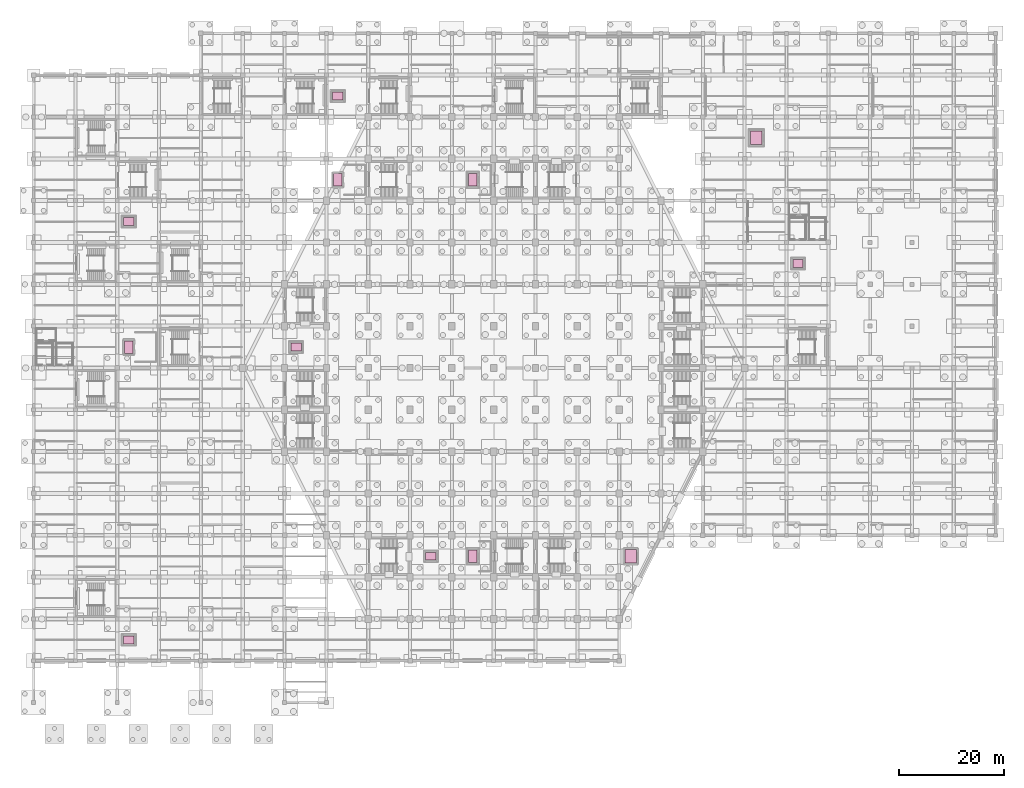
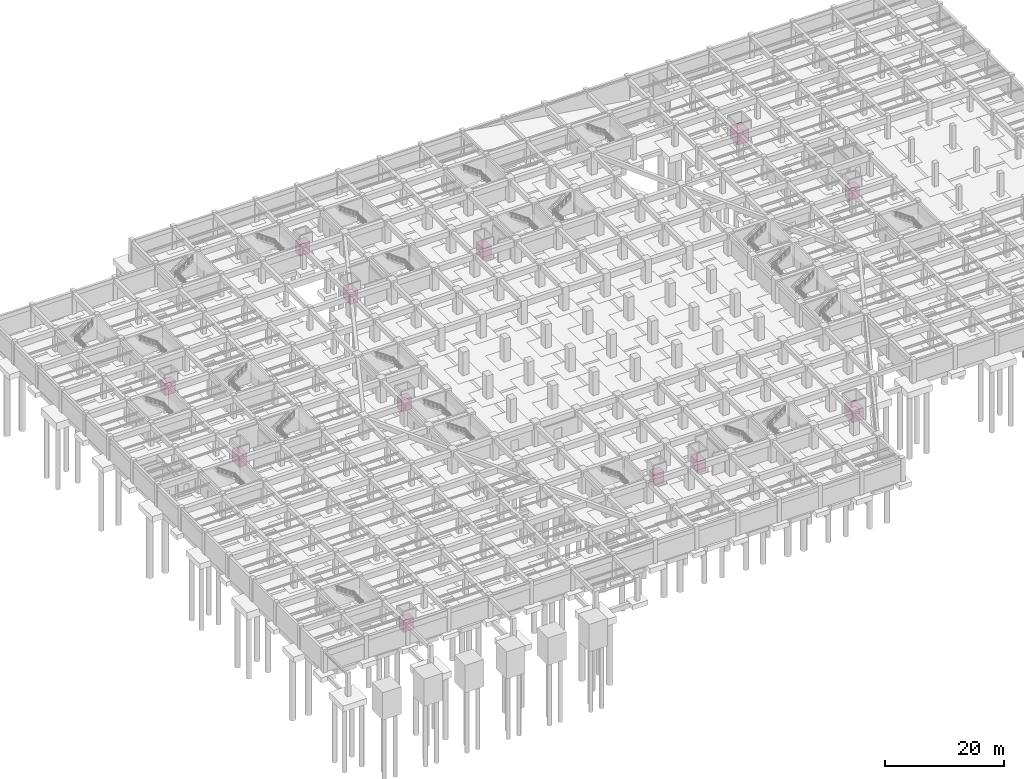
# One storey, part 36 of 36: 12 transport elements.
"""IFC4 building model written with IfcOpenShell, lengths in metres."""

from ifc_helpers import new_model, si_unit, direction, frame, origin, origin_2d, place, context, subcontext, project, spatial, rectangle, extrude, material, type_object, element, save


model = new_model("IFC4")

# Units and contexts
model_context = context("Model", 3, precision=1e-05, world=origin(), true_north=direction((0.0, 1.0)))
body_context = subcontext(model_context, "Body", "Model", "MODEL_VIEW")
ifc_project = project(units=[si_unit("LENGTHUNIT", "METRE"), si_unit("AREAUNIT", "SQUARE_METRE"), si_unit("VOLUMEUNIT", "CUBIC_METRE"), si_unit("PLANEANGLEUNIT", "RADIAN"), si_unit("MASSUNIT", "GRAM", prefix="KILO")], contexts=[model_context])

# Site, building, storey
site_placement = place(None, origin())
site = spatial("IfcSite", under=ifc_project, at=site_placement, CompositionType="ELEMENT")
building_placement = place(site_placement, origin())
building = spatial("IfcBuilding", under=site, at=building_placement, Name="Tazarka Park Arena", CompositionType="ELEMENT")
storey_placement = place(building_placement, frame((0.0, 0.0, -4.800048828125)))
storey = spatial("IfcBuildingStorey", under=building, at=storey_placement, Name="B1", CompositionType="ELEMENT", Elevation=-4.800048828125)

# Transport elements
ifc_material_1 = material(Name="Brushed architectural stainless steel", Category="steel")
transport_element_type_1 = type_object("IfcTransportElementType", Name="LFT-FF", PredefinedType="ELEVATOR", material=ifc_material_1)
for number, where, z_axis, x_axis, name in (
    (1, (18.199951171875, 68.0, 0.0), (0.0, 0.0, 1.0), (1.0, 0.0, 0.0), "Lift LF-01"),
    (2, (58.199951171875, 100.0, 0.0), (0.0, 0.0, 1.0), (1.0, 0.0, 0.0), "Lift LF-02"),
    (3, (84.0, 100.0, 0.0), (0.0, 0.0, 1.0), (1.0, 0.0, 0.0), "Lift LF-03"),
    (4, (84.0, 28.0, 0.0), (0.0, 0.0, 1.0), (1.0, 0.0, 0.0), "Lift LF-04"),
):
    element("IfcTransportElement", number, at=place(storey_placement, frame(where, z_axis=z_axis, x_axis=x_axis)), inside=storey, type_object=transport_element_type_1, Name=name, PredefinedType="ELEVATOR", context=body_context, shape_type="SweptSolid", body=[
        extrude(rectangle(XDim=1.60009765625, YDim=2.39990234375, at=origin_2d()), origin(), (0.0, 0.0, 1.0), 2.39990234375),
    ])
ifc_material_2 = material(Name="Brushed architectural stainless steel", Category="steel")
transport_element_type_2 = type_object("IfcTransportElementType", Name="LFT-GDS", PredefinedType="ELEVATOR", material=ifc_material_2)
for number, where, z_axis, x_axis, name in (
    (5, (114.199951171875, 28.0, 0.0), (0.0, 0.0, 1.0), (1.0, 0.0, 0.0), "Lift LF-11"),
    (6, (138.199951171875, 108.0, 0.0), (0.0, 0.0, 1.0), (1.0, 0.0, 0.0), "Lift LF-12"),
):
    element("IfcTransportElement", number, at=place(storey_placement, frame(where, z_axis=z_axis, x_axis=x_axis)), inside=storey, type_object=transport_element_type_2, Name=name, PredefinedType="ELEVATOR", context=body_context, shape_type="SweptSolid", body=[
        extrude(rectangle(XDim=2.199951171875, YDim=2.60009765625, at=origin_2d()), origin(), (0.0, 0.0, 1.0), 2.39990234375),
    ])
ifc_material_3 = material(Name="Brushed architectural stainless steel", Category="steel")
transport_element_type_3 = type_object("IfcTransportElementType", Name="LFT-PAX", PredefinedType="ELEVATOR", material=ifc_material_3)
for number, where, z_axis, x_axis, name in (
    (7, (18.199951171875, 12.0, 0.0), (0.0, 0.0, 1.0), (1.0, 0.0, 0.0), "Lift LF-05"),
    (8, (18.199951171875, 92.0, 0.0), (0.0, 0.0, 1.0), (1.0, 0.0, 0.0), "Lift LF-06"),
    (9, (58.199951171875, 116.0, 0.0), (0.0, 0.0, 1.0), (1.0, 0.0, 0.0), "Lift LF-07"),
    (10, (76.0, 28.0, 0.0), (0.0, 0.0, 1.0), (1.0, 0.0, 0.0), "Lift LF-08"),
    (11, (50.199951171875, 68.0, 0.0), (0.0, 0.0, 1.0), (1.0, 0.0, 0.0), "Lift LF-09"),
    (12, (146.199951171875, 84.0, 0.0), (0.0, 0.0, 1.0), (1.0, 0.0, 0.0), "Lift LF-10"),
):
    element("IfcTransportElement", number, at=place(storey_placement, frame(where, z_axis=z_axis, x_axis=x_axis)), inside=storey, type_object=transport_element_type_3, Name=name, PredefinedType="ELEVATOR", context=body_context, shape_type="SweptSolid", body=[
        extrude(rectangle(XDim=2.0, YDim=1.5, at=origin_2d()), origin(), (0.0, 0.0, 1.0), 2.39990234375),
    ])

save(model, "model.ifc")
